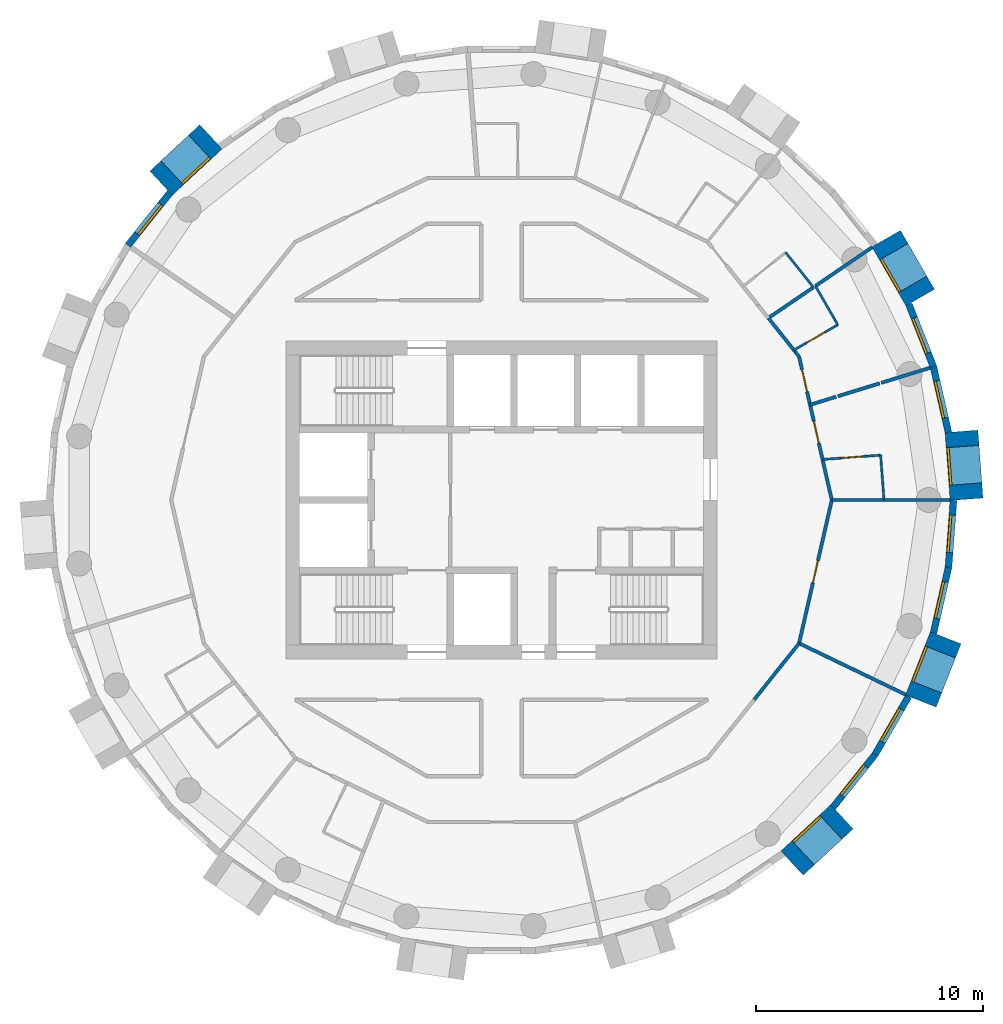
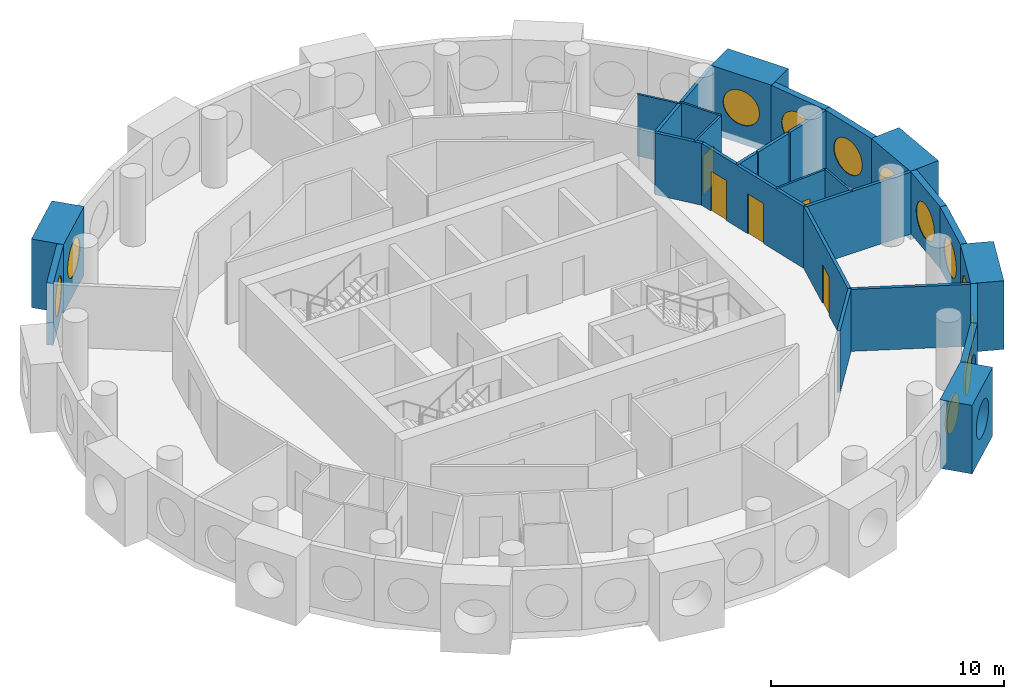
# One storey, part 10 of 13: 28 walls, 12 windows, 5 doors, 17 openings.
"""IFC4 building model written with IfcOpenShell, lengths in metres."""

from ifc_helpers import new_model, si_unit, direction, frame, frame_2d, origin, origin_2d, place, context, subcontext, project, spatial, rectangle, circle, extrude, material, layer, layer_set, type_object, element, fill, save


model = new_model("IFC4")

# Units and contexts
model_context = context("Model", 3, precision=1e-05, world=origin(), true_north=direction((0.0, 1.0)))
body_context = subcontext(model_context, "Body", "Model", "MODEL_VIEW")
ifc_project = project(units=[si_unit("LENGTHUNIT", "METRE"), si_unit("AREAUNIT", "SQUARE_METRE"), si_unit("VOLUMEUNIT", "CUBIC_METRE"), si_unit("PLANEANGLEUNIT", "RADIAN"), si_unit("MASSUNIT", "GRAM", prefix="KILO")], contexts=[model_context])

# Site, building, storey
site_placement = place(None, origin())
site = spatial("IfcSite", under=ifc_project, at=site_placement, CompositionType="ELEMENT")
building_placement = place(site_placement, origin())
building = spatial("IfcBuilding", under=site, at=building_placement, Name="Tracery Tower", CompositionType="ELEMENT")
storey_placement = place(building_placement, frame((0.0, 0.0, 256.199951171875)))
storey = spatial("IfcBuildingStorey", under=building, at=storey_placement, Name="L66", CompositionType="ELEMENT", Elevation=256.199951171875)

# Wall, opening, window
ifc_material_1 = material(Name="Precast concrete C50/60", Category="concrete")
ifc_layer_1 = layer(ifc_material_1, 1.449951171875)
ifc_layer_set_1 = layer_set([ifc_layer_1], Name="Deep-set bay unit 3000 x 3600, slab edge 350")
wall_type_1 = type_object("IfcWallType", Name="Deep-set bay unit 3000 x 3600, slab edge 350", PredefinedType="ELEMENTEDWALL", material=ifc_layer_set_1)
wall_1_placement = place(storey_placement, frame((20.49609375, 0.03173828125, -0.349853515625), z_axis=(0.0, 0.0, 1.0), x_axis=(-0.074785902127, 0.997199613339, 0.0)))
wall_1 = element("IfcWall", 1, at=wall_1_placement, inside=storey, type_object=wall_type_1, Name="Deep-set bay unit 1 at L66", PredefinedType="ELEMENTEDWALL", context=body_context, shape_type="SweptSolid", body=[
    extrude(rectangle(XDim=3.0, YDim=1.449951171875, at=frame_2d((1.5, 0.0))), origin(), (0.0, 0.0, 1.0), 3.599853515625),
])
opening_1_placement = place(wall_1_placement, frame((1.5, 0.0, 1.89990234375)))
opening_1 = element("IfcOpeningElement", 2, at=opening_1_placement, cuts=wall_1, Name="Opening WN1", PredefinedType="OPENING", context=body_context, shape_type="SweptSolid", body=[
    extrude(circle(Radius=0.9000244140625, at=origin_2d()), frame((0.0, 0.73486328125, 0.0), z_axis=(0.0, -1.0, 0.0), x_axis=(1.0, 0.0, 0.0)), (0.0, 0.0, 1.0), 1.469970703125),
])
ifc_material_2 = material(Name="Aluminium frame with tinted double glazing", Category="aluminium")
window_type = type_object("IfcWindowType", Name="Round window 1800", PartitioningType="SINGLE_PANEL", PredefinedType="WINDOW", material=ifc_material_2)
window_1_placement = place(opening_1_placement, origin())
window_1 = element("IfcWindow", 3, at=window_1_placement, inside=storey, type_object=window_type, Name="Round window 1 at L66", OverallHeight=1.800048828125, OverallWidth=1.800048828125, PartitioningType="SINGLE_PANEL", PredefinedType="WINDOW", context=body_context, shape_type="SweptSolid", body=[
    extrude(circle(Radius=0.9000244140625, at=origin_2d()), frame((0.0, 0.69482421875, 0.0), z_axis=(0.0, -1.0, 0.0), x_axis=(1.0, 0.0, 0.0)), (0.0, 0.0, 1.0), 0.10009765625),
])
fill(opening_1, window_1)

wall_2_placement = place(storey_placement, frame((18.452392578125, 8.92138671875, -0.349853515625), z_axis=(0.0, 0.0, 1.0), x_axis=(-0.499990139034, 0.866031096941, 0.0)))
wall_2 = element("IfcWall", 4, at=wall_2_placement, inside=storey, type_object=wall_type_1, Name="Deep-set bay unit 4 at L66", PredefinedType="ELEMENTEDWALL", context=body_context, shape_type="SweptSolid", body=[
    extrude(rectangle(XDim=3.0, YDim=1.449951171875, at=frame_2d((1.5, 0.0))), origin(), (0.0, 0.0, 1.0), 3.599853515625),
])
opening_2_placement = place(wall_2_placement, frame((1.5, 0.0, 1.89990234375)))
opening_2 = element("IfcOpeningElement", 5, at=opening_2_placement, cuts=wall_2, Name="Opening WN1", PredefinedType="OPENING", context=body_context, shape_type="SweptSolid", body=[
    extrude(circle(Radius=0.9000244140625, at=origin_2d()), frame((0.0, 0.73486328125, 0.0), z_axis=(0.0, -1.0, 0.0), x_axis=(1.0, 0.0, 0.0)), (0.0, 0.0, 1.0), 1.469970703125),
])
window_2_placement = place(opening_2_placement, origin())
window_2 = element("IfcWindow", 6, at=window_2_placement, inside=storey, type_object=window_type, Name="Round window 4 at L66", OverallHeight=1.800048828125, OverallWidth=1.800048828125, PartitioningType="SINGLE_PANEL", PredefinedType="WINDOW", context=body_context, shape_type="SweptSolid", body=[
    extrude(circle(Radius=0.9000244140625, at=origin_2d()), frame((0.0, 0.69482421875, 0.0), z_axis=(0.0, -1.0, 0.0), x_axis=(1.0, 0.0, 0.0)), (0.0, 0.0, 1.0), 0.10009765625),
])
fill(opening_2, window_2)

wall_3_placement = place(storey_placement, frame((-12.803955078125, 16.004638671875, -0.349853515625), z_axis=(0.0, 0.0, 1.0), x_axis=(-0.733022439167, -0.680204457261, 0.0)))
wall_3 = element("IfcWall", 7, at=wall_3_placement, inside=storey, type_object=wall_type_1, Name="Deep-set bay unit 16 at L66", PredefinedType="ELEMENTEDWALL", context=body_context, shape_type="SweptSolid", body=[
    extrude(rectangle(XDim=2.999755859375, YDim=1.449951171875, at=frame_2d((1.5, 0.0))), origin(), (0.0, 0.0, 1.0), 3.599853515625),
])
opening_3_placement = place(wall_3_placement, frame((1.5, 0.0, 1.89990234375)))
opening_3 = element("IfcOpeningElement", 8, at=opening_3_placement, cuts=wall_3, Name="Opening WN1", PredefinedType="OPENING", context=body_context, shape_type="SweptSolid", body=[
    extrude(circle(Radius=0.9000244140625, at=origin_2d()), frame((0.0, 0.73486328125, 0.0), z_axis=(0.0, -1.0, 0.0), x_axis=(1.0, 0.0, 0.0)), (0.0, 0.0, 1.0), 1.469970703125),
])
window_3_placement = place(opening_3_placement, origin())
window_3 = element("IfcWindow", 9, at=window_3_placement, inside=storey, type_object=window_type, Name="Round window 16 at L66", OverallHeight=1.800048828125, OverallWidth=1.800048828125, PartitioningType="SINGLE_PANEL", PredefinedType="WINDOW", context=body_context, shape_type="SweptSolid", body=[
    extrude(circle(Radius=0.9000244140625, at=origin_2d()), frame((0.0, 0.69482421875, 0.0), z_axis=(0.0, -1.0, 0.0), x_axis=(1.0, 0.0, 0.0)), (0.0, 0.0, 1.0), 0.10009765625),
])
fill(opening_3, window_3)

wall_4_placement = place(storey_placement, frame((12.803955078125, -16.004638671875, -0.349853515625), z_axis=(0.0, 0.0, 1.0), x_axis=(0.733022439167, 0.680204457261, 0.0)))
wall_4 = element("IfcWall", 10, at=wall_4_placement, inside=storey, type_object=wall_type_1, Name="Deep-set bay unit 37 at L66", PredefinedType="ELEMENTEDWALL", context=body_context, shape_type="SweptSolid", body=[
    extrude(rectangle(XDim=2.999755859375, YDim=1.449951171875, at=frame_2d((1.5, 0.0))), origin(), (0.0, 0.0, 1.0), 3.599853515625),
])
opening_4_placement = place(wall_4_placement, frame((1.5, 0.0, 1.89990234375)))
opening_4 = element("IfcOpeningElement", 11, at=opening_4_placement, cuts=wall_4, Name="Opening WN1", PredefinedType="OPENING", context=body_context, shape_type="SweptSolid", body=[
    extrude(circle(Radius=0.9000244140625, at=origin_2d()), frame((0.0, 0.73486328125, 0.0), z_axis=(0.0, -1.0, 0.0), x_axis=(1.0, 0.0, 0.0)), (0.0, 0.0, 1.0), 1.469970703125),
])
window_4_placement = place(opening_4_placement, origin())
window_4 = element("IfcWindow", 12, at=window_4_placement, inside=storey, type_object=window_type, Name="Round window 37 at L66", OverallHeight=1.800048828125, OverallWidth=1.800048828125, PartitioningType="SINGLE_PANEL", PredefinedType="WINDOW", context=body_context, shape_type="SweptSolid", body=[
    extrude(circle(Radius=0.9000244140625, at=origin_2d()), frame((0.0, 0.69482421875, 0.0), z_axis=(0.0, -1.0, 0.0), x_axis=(1.0, 0.0, 0.0)), (0.0, 0.0, 1.0), 0.10009765625),
])
fill(opening_4, window_4)

wall_5_placement = place(storey_placement, frame((18.47998046875, -8.8642578125, -0.349853515625), z_axis=(0.0, 0.0, 1.0), x_axis=(0.36537792632, 0.93085926485, 0.0)))
wall_5 = element("IfcWall", 13, at=wall_5_placement, inside=storey, type_object=wall_type_1, Name="Deep-set bay unit 40 at L66", PredefinedType="ELEMENTEDWALL", context=body_context, shape_type="SweptSolid", body=[
    extrude(rectangle(XDim=3.000244140625, YDim=1.449951171875, at=frame_2d((1.5, 0.0))), origin(), (0.0, 0.0, 1.0), 3.599853515625),
])
opening_5_placement = place(wall_5_placement, frame((1.5, 0.0, 1.89990234375)))
opening_5 = element("IfcOpeningElement", 14, at=opening_5_placement, cuts=wall_5, Name="Opening WN1", PredefinedType="OPENING", context=body_context, shape_type="SweptSolid", body=[
    extrude(circle(Radius=0.9000244140625, at=origin_2d()), frame((0.0, 0.73486328125, 0.0), z_axis=(0.0, -1.0, 0.0), x_axis=(1.0, 0.0, 0.0)), (0.0, 0.0, 1.0), 1.469970703125),
])
window_5_placement = place(opening_5_placement, origin())
window_5 = element("IfcWindow", 15, at=window_5_placement, inside=storey, type_object=window_type, Name="Round window 40 at L66", OverallHeight=1.800048828125, OverallWidth=1.800048828125, PartitioningType="SINGLE_PANEL", PredefinedType="WINDOW", context=body_context, shape_type="SweptSolid", body=[
    extrude(circle(Radius=0.9000244140625, at=origin_2d()), frame((0.0, 0.69482421875, 0.0), z_axis=(0.0, -1.0, 0.0), x_axis=(1.0, 0.0, 0.0)), (0.0, 0.0, 1.0), 0.10009765625),
])
fill(opening_5, window_5)

ifc_material_3 = material(Name="Precast concrete C50/60", Category="concrete")
ifc_layer_2 = layer(ifc_material_3, 0.300048828125)
ifc_layer_set_2 = layer_set([ifc_layer_2], Name="Facade panel 3000 x 3250")
wall_type_2 = type_object("IfcWallType", Name="Facade panel 3000 x 3250", PredefinedType="SOLIDWALL", material=ifc_layer_set_2)
wall_6_placement = place(storey_placement, frame((19.69580078125, 2.984130859375, 0.0), z_axis=(0.0, 0.0, 1.0), x_axis=(-0.222529389789, 0.974925982155, 0.0)))
wall_6 = element("IfcWall", 16, at=wall_6_placement, inside=storey, type_object=wall_type_2, Name="Facade panel 2 at L66", PredefinedType="SOLIDWALL", context=body_context, shape_type="SweptSolid", body=[
    extrude(rectangle(XDim=2.962158203125, YDim=0.300048828125, at=frame_2d((1.48095703125, 0.0))), origin(), (0.0, 0.0, 1.0), 3.25),
])
opening_6_placement = place(wall_6_placement, frame((1.48095703125, 0.0, 1.5498046875)))
opening_6 = element("IfcOpeningElement", 17, at=opening_6_placement, cuts=wall_6, Name="Opening WN1", PredefinedType="OPENING", context=body_context, shape_type="SweptSolid", body=[
    extrude(circle(Radius=0.9000244140625, at=origin_2d()), frame((0.0, 0.159912109375, 0.0), z_axis=(0.0, -1.0, 0.0), x_axis=(1.0, 0.0, 0.0)), (0.0, 0.0, 1.0), 0.320068359375),
])
window_6_placement = place(opening_6_placement, origin())
window_6 = element("IfcWindow", 18, at=window_6_placement, inside=storey, type_object=window_type, Name="Round window 2 at L66", OverallHeight=1.800048828125, OverallWidth=1.800048828125, PartitioningType="SINGLE_PANEL", PredefinedType="WINDOW", context=body_context, shape_type="SweptSolid", body=[
    extrude(circle(Radius=0.9000244140625, at=origin_2d()), frame((0.0, 0.1201171875, 0.0), z_axis=(0.0, -1.0, 0.0), x_axis=(1.0, 0.0, 0.0)), (0.0, 0.0, 1.0), 0.10009765625),
])
fill(opening_6, window_6)

wall_7_placement = place(storey_placement, frame((19.03662109375, 5.8720703125, 0.0), z_axis=(0.0, 0.0, 1.0), x_axis=(-0.36530043032, 0.930889679612, 0.0)))
wall_7 = element("IfcWall", 19, at=wall_7_placement, inside=storey, type_object=wall_type_2, Name="Facade panel 3 at L66", PredefinedType="SOLIDWALL", context=body_context, shape_type="SweptSolid", body=[
    extrude(rectangle(XDim=2.9619140625, YDim=0.300048828125, at=frame_2d((1.48095703125, 0.0))), origin(), (0.0, 0.0, 1.0), 3.25),
])
opening_7_placement = place(wall_7_placement, frame((1.48095703125, 0.0, 1.5498046875)))
opening_7 = element("IfcOpeningElement", 20, at=opening_7_placement, cuts=wall_7, Name="Opening WN1", PredefinedType="OPENING", context=body_context, shape_type="SweptSolid", body=[
    extrude(circle(Radius=0.9000244140625, at=origin_2d()), frame((0.0, 0.159912109375, 0.0), z_axis=(0.0, -1.0, 0.0), x_axis=(1.0, 0.0, 0.0)), (0.0, 0.0, 1.0), 0.320068359375),
])
window_7_placement = place(opening_7_placement, origin())
window_7 = element("IfcWindow", 21, at=window_7_placement, inside=storey, type_object=window_type, Name="Round window 3 at L66", OverallHeight=1.800048828125, OverallWidth=1.800048828125, PartitioningType="SINGLE_PANEL", PredefinedType="WINDOW", context=body_context, shape_type="SweptSolid", body=[
    extrude(circle(Radius=0.9000244140625, at=origin_2d()), frame((0.0, 0.1201171875, 0.0), z_axis=(0.0, -1.0, 0.0), x_axis=(1.0, 0.0, 0.0)), (0.0, 0.0, 1.0), 0.10009765625),
])
fill(opening_7, window_7)

wall_8_placement = place(storey_placement, frame((-14.61328125, 13.538330078125, 0.0), z_axis=(0.0, 0.0, 1.0), x_axis=(-0.623498236992, -0.781824755599, 0.0)))
wall_8 = element("IfcWall", 22, at=wall_8_placement, inside=storey, type_object=wall_type_2, Name="Facade panel 17 at L66", PredefinedType="SOLIDWALL", context=body_context, shape_type="SweptSolid", body=[
    extrude(rectangle(XDim=2.962158203125, YDim=0.300048828125, at=frame_2d((1.48095703125, 0.0))), origin(), (0.0, 0.0, 1.0), 3.25),
])
opening_8_placement = place(wall_8_placement, frame((1.48095703125, 0.0, 1.5498046875)))
opening_8 = element("IfcOpeningElement", 23, at=opening_8_placement, cuts=wall_8, Name="Opening WN1", PredefinedType="OPENING", context=body_context, shape_type="SweptSolid", body=[
    extrude(circle(Radius=0.9000244140625, at=origin_2d()), frame((0.0, 0.159912109375, 0.0), z_axis=(0.0, -1.0, 0.0), x_axis=(1.0, 0.0, 0.0)), (0.0, 0.0, 1.0), 0.320068359375),
])
window_8_placement = place(opening_8_placement, origin())
window_8 = element("IfcWindow", 24, at=window_8_placement, inside=storey, type_object=window_type, Name="Round window 17 at L66", OverallHeight=1.800048828125, OverallWidth=1.800048828125, PartitioningType="SINGLE_PANEL", PredefinedType="WINDOW", context=body_context, shape_type="SweptSolid", body=[
    extrude(circle(Radius=0.9000244140625, at=origin_2d()), frame((0.0, 0.1201171875, 0.0), z_axis=(0.0, -1.0, 0.0), x_axis=(1.0, 0.0, 0.0)), (0.0, 0.0, 1.0), 0.10009765625),
])
fill(opening_8, window_8)

wall_9_placement = place(storey_placement, frame((14.61328125, -13.538330078125, 0.0), z_axis=(0.0, 0.0, 1.0), x_axis=(0.623498236992, 0.781824755599, 0.0)))
wall_9 = element("IfcWall", 25, at=wall_9_placement, inside=storey, type_object=wall_type_2, Name="Facade panel 38 at L66", PredefinedType="SOLIDWALL", context=body_context, shape_type="SweptSolid", body=[
    extrude(rectangle(XDim=2.962158203125, YDim=0.300048828125, at=frame_2d((1.48095703125, 0.0))), origin(), (0.0, 0.0, 1.0), 3.25),
])
opening_9_placement = place(wall_9_placement, frame((1.48095703125, 0.0, 1.5498046875)))
opening_9 = element("IfcOpeningElement", 26, at=opening_9_placement, cuts=wall_9, Name="Opening WN1", PredefinedType="OPENING", context=body_context, shape_type="SweptSolid", body=[
    extrude(circle(Radius=0.9000244140625, at=origin_2d()), frame((0.0, 0.159912109375, 0.0), z_axis=(0.0, -1.0, 0.0), x_axis=(1.0, 0.0, 0.0)), (0.0, 0.0, 1.0), 0.320068359375),
])
window_9_placement = place(opening_9_placement, origin())
window_9 = element("IfcWindow", 27, at=window_9_placement, inside=storey, type_object=window_type, Name="Round window 38 at L66", OverallHeight=1.800048828125, OverallWidth=1.800048828125, PartitioningType="SINGLE_PANEL", PredefinedType="WINDOW", context=body_context, shape_type="SweptSolid", body=[
    extrude(circle(Radius=0.9000244140625, at=origin_2d()), frame((0.0, 0.1201171875, 0.0), z_axis=(0.0, -1.0, 0.0), x_axis=(1.0, 0.0, 0.0)), (0.0, 0.0, 1.0), 0.10009765625),
])
fill(opening_9, window_9)

wall_10_placement = place(storey_placement, frame((16.460205078125, -11.222412109375, 0.0), z_axis=(0.0, 0.0, 1.0), x_axis=(0.499950756475, 0.86605383268, 0.0)))
wall_10 = element("IfcWall", 28, at=wall_10_placement, inside=storey, type_object=wall_type_2, Name="Facade panel 39 at L66", PredefinedType="SOLIDWALL", context=body_context, shape_type="SweptSolid", body=[
    extrude(rectangle(XDim=2.962158203125, YDim=0.300048828125, at=frame_2d((1.48095703125, 0.0))), origin(), (0.0, 0.0, 1.0), 3.25),
])
opening_10_placement = place(wall_10_placement, frame((1.48095703125, 0.0, 1.5498046875)))
opening_10 = element("IfcOpeningElement", 29, at=opening_10_placement, cuts=wall_10, Name="Opening WN1", PredefinedType="OPENING", context=body_context, shape_type="SweptSolid", body=[
    extrude(circle(Radius=0.9000244140625, at=origin_2d()), frame((0.0, 0.159912109375, 0.0), z_axis=(0.0, -1.0, 0.0), x_axis=(1.0, 0.0, 0.0)), (0.0, 0.0, 1.0), 0.320068359375),
])
window_10_placement = place(opening_10_placement, origin())
window_10 = element("IfcWindow", 30, at=window_10_placement, inside=storey, type_object=window_type, Name="Round window 39 at L66", OverallHeight=1.800048828125, OverallWidth=1.800048828125, PartitioningType="SINGLE_PANEL", PredefinedType="WINDOW", context=body_context, shape_type="SweptSolid", body=[
    extrude(circle(Radius=0.9000244140625, at=origin_2d()), frame((0.0, 0.1201171875, 0.0), z_axis=(0.0, -1.0, 0.0), x_axis=(1.0, 0.0, 0.0)), (0.0, 0.0, 1.0), 0.10009765625),
])
fill(opening_10, window_10)

wall_11_placement = place(storey_placement, frame((19.0400390625, -5.857177734375, 0.0), z_axis=(0.0, 0.0, 1.0), x_axis=(0.222529389789, 0.974925982155, 0.0)))
wall_11 = element("IfcWall", 31, at=wall_11_placement, inside=storey, type_object=wall_type_2, Name="Facade panel 41 at L66", PredefinedType="SOLIDWALL", context=body_context, shape_type="SweptSolid", body=[
    extrude(rectangle(XDim=2.962158203125, YDim=0.300048828125, at=frame_2d((1.48095703125, 0.0))), origin(), (0.0, 0.0, 1.0), 3.25),
])
opening_11_placement = place(wall_11_placement, frame((1.48095703125, 0.0, 1.5498046875)))
opening_11 = element("IfcOpeningElement", 32, at=opening_11_placement, cuts=wall_11, Name="Opening WN1", PredefinedType="OPENING", context=body_context, shape_type="SweptSolid", body=[
    extrude(circle(Radius=0.9000244140625, at=origin_2d()), frame((0.0, 0.159912109375, 0.0), z_axis=(0.0, -1.0, 0.0), x_axis=(1.0, 0.0, 0.0)), (0.0, 0.0, 1.0), 0.320068359375),
])
window_11_placement = place(opening_11_placement, origin())
window_11 = element("IfcWindow", 33, at=window_11_placement, inside=storey, type_object=window_type, Name="Round window 41 at L66", OverallHeight=1.800048828125, OverallWidth=1.800048828125, PartitioningType="SINGLE_PANEL", PredefinedType="WINDOW", context=body_context, shape_type="SweptSolid", body=[
    extrude(circle(Radius=0.9000244140625, at=origin_2d()), frame((0.0, 0.1201171875, 0.0), z_axis=(0.0, -1.0, 0.0), x_axis=(1.0, 0.0, 0.0)), (0.0, 0.0, 1.0), 0.10009765625),
])
fill(opening_11, window_11)

wall_12_placement = place(storey_placement, frame((19.69921875, -2.96923828125, 0.0), z_axis=(0.0, 0.0, 1.0), x_axis=(0.07474897196, 0.997202382263, 0.0)))
wall_12 = element("IfcWall", 34, at=wall_12_placement, inside=storey, type_object=wall_type_2, Name="Facade panel 42 at L66", PredefinedType="SOLIDWALL", context=body_context, shape_type="SweptSolid", body=[
    extrude(rectangle(XDim=2.96240234375, YDim=0.300048828125, at=frame_2d((1.481201171875, 0.0))), origin(), (0.0, 0.0, 1.0), 3.25),
])
opening_12_placement = place(wall_12_placement, frame((1.48095703125, 0.0, 1.5498046875)))
opening_12 = element("IfcOpeningElement", 35, at=opening_12_placement, cuts=wall_12, Name="Opening WN1", PredefinedType="OPENING", context=body_context, shape_type="SweptSolid", body=[
    extrude(circle(Radius=0.9000244140625, at=origin_2d()), frame((0.0, 0.159912109375, 0.0), z_axis=(0.0, -1.0, 0.0), x_axis=(1.0, 0.0, 0.0)), (0.0, 0.0, 1.0), 0.320068359375),
])
window_12_placement = place(opening_12_placement, origin())
window_12 = element("IfcWindow", 36, at=window_12_placement, inside=storey, type_object=window_type, Name="Round window 42 at L66", OverallHeight=1.800048828125, OverallWidth=1.800048828125, PartitioningType="SINGLE_PANEL", PredefinedType="WINDOW", context=body_context, shape_type="SweptSolid", body=[
    extrude(circle(Radius=0.9000244140625, at=origin_2d()), frame((0.0, 0.1201171875, 0.0), z_axis=(0.0, -1.0, 0.0), x_axis=(1.0, 0.0, 0.0)), (0.0, 0.0, 1.0), 0.10009765625),
])
fill(opening_12, window_12)

# Wall
ifc_material_4 = material(Name="Plasterboard on steel studs", Category="steel")
ifc_layer_3 = layer(ifc_material_4, 0.10009765625)
ifc_layer_set_3 = layer_set([ifc_layer_3], Name="Partition 100 wet wall")
wall_type_3 = type_object("IfcWallType", Name="Partition 100 wet wall", PredefinedType="PARTITIONING", material=ifc_layer_set_3)
wall_13_placement = place(storey_placement, frame((16.7080078125, 1.97705078125, 0.0), z_axis=(0.0, 0.0, 1.0), x_axis=(0.074624634103, -0.997211694669, 0.0)))
element("IfcWall", 37, at=wall_13_placement, inside=storey, type_object=wall_type_3, Name="Wet wall RC3-047", PredefinedType="PARTITIONING", context=body_context, shape_type="SweptSolid", body=[
    extrude(rectangle(XDim=1.982666015625, YDim=0.10009765625, at=frame_2d((0.9912109375, 0.0))), origin(), (0.0, 0.0, 1.0), 3.25),
])

# Wall, opening, door
wall_14_placement = place(storey_placement, frame((14.14892578125, 1.784912109375, 0.0), z_axis=(0.0, 0.0, 1.0), x_axis=(0.997193275785, 0.074870359477, 0.0)))
wall_14 = element("IfcWall", 38, at=wall_14_placement, inside=storey, type_object=wall_type_3, Name="Wet wall RC3-048", PredefinedType="PARTITIONING", context=body_context, shape_type="SweptSolid", body=[
    extrude(rectangle(XDim=2.56640625, YDim=0.10009765625, at=frame_2d((1.283203125, 0.0))), origin(), (0.0, 0.0, 1.0), 3.25),
])
opening_13_placement = place(wall_14_placement, frame((0.833251953125, 0.0, 0.0)))
opening_13 = element("IfcOpeningElement", 39, at=opening_13_placement, cuts=wall_14, Name="Opening RC3-05", PredefinedType="OPENING", context=body_context, shape_type="SweptSolid", body=[
    extrude(rectangle(XDim=0.89990234375, YDim=2.0400390625, at=frame_2d((0.449951171875, 1.02001953125))), frame((0.0, 0.050048828125, 0.0), z_axis=(0.0, -1.0, 0.0), x_axis=(1.0, 0.0, 0.0)), (0.0, 0.0, 1.0), 0.10009765625),
])
ifc_material_5 = material(Name="Timber door leaf", Category="wood")
door_type_1 = type_object("IfcDoorType", Name="Door en-suite 900", OperationType="NOTDEFINED", PredefinedType="DOOR", material=ifc_material_5)
door_1_placement = place(opening_13_placement, origin())
door_1 = element("IfcDoor", 40, at=door_1_placement, inside=storey, type_object=door_type_1, Name="En-suite door RC3-05", OperationType="SINGLE_SWING_LEFT", OverallHeight=2.0400390625, OverallWidth=0.89990234375, PredefinedType="DOOR", context=body_context, shape_type="SweptSolid", body=[
    extrude(rectangle(XDim=0.89990234375, YDim=2.0400390625, at=frame_2d((0.449951171875, 1.02001953125))), frame((0.0, 0.02490234375, 0.0), z_axis=(0.0, -1.0, 0.0), x_axis=(1.0, 0.0, 0.0)), (0.0, 0.0, 1.0), 0.050048828125),
])
fill(opening_13, door_1)

wall_15_placement = place(storey_placement, frame((12.885009765625, 6.60498046875, 0.0), z_axis=(0.0, 0.0, 1.0), x_axis=(0.866076416361, 0.499911633214, 0.0)))
wall_15 = element("IfcWall", 41, at=wall_15_placement, inside=storey, type_object=wall_type_3, Name="Wet wall RC3-053", PredefinedType="PARTITIONING", context=body_context, shape_type="SweptSolid", body=[
    extrude(rectangle(XDim=2.234375, YDim=0.10009765625, at=frame_2d((1.1171875, 0.0))), origin(), (0.0, 0.0, 1.0), 3.25),
])
opening_14_placement = place(wall_15_placement, frame((0.6669921875, 0.0, 0.0)))
opening_14 = element("IfcOpeningElement", 42, at=opening_14_placement, cuts=wall_15, Name="Opening RC3-07", PredefinedType="OPENING", context=body_context, shape_type="SweptSolid", body=[
    extrude(rectangle(XDim=0.89990234375, YDim=2.0400390625, at=frame_2d((0.449951171875, 1.02001953125))), frame((0.0, 0.050048828125, 0.0), z_axis=(0.0, -1.0, 0.0), x_axis=(1.0, 0.0, 0.0)), (0.0, 0.0, 1.0), 0.10009765625),
])
door_2_placement = place(opening_14_placement, origin())
door_2 = element("IfcDoor", 43, at=door_2_placement, inside=storey, type_object=door_type_1, Name="En-suite door RC3-07", OperationType="SINGLE_SWING_LEFT", OverallHeight=2.0400390625, OverallWidth=0.89990234375, PredefinedType="DOOR", context=body_context, shape_type="SweptSolid", body=[
    extrude(rectangle(XDim=0.89990234375, YDim=2.0400390625, at=frame_2d((0.449951171875, 1.02001953125))), frame((0.0, 0.02490234375, 0.0), z_axis=(0.0, -1.0, 0.0), x_axis=(1.0, 0.0, 0.0)), (0.0, 0.0, 1.0), 0.050048828125),
])
fill(opening_14, door_2)

# Walls
wall_16_placement = place(storey_placement, frame((13.8330078125, 9.430908203125, 0.0), z_axis=(0.0, 0.0, 1.0), x_axis=(0.500143626598, -0.865942465048, 0.0)))
element("IfcWall", 44, at=wall_16_placement, inside=storey, type_object=wall_type_3, Name="Wet wall RC3-054", PredefinedType="PARTITIONING", context=body_context, shape_type="SweptSolid", body=[
    extrude(rectangle(XDim=1.9736328125, YDim=0.10009765625, at=frame_2d((0.98681640625, 0.0))), origin(), (0.0, 0.0, 1.0), 3.25),
])
wall_17_placement = place(storey_placement, frame((12.52197265625, 10.909912109375, 0.0), z_axis=(0.0, 0.0, 1.0), x_axis=(0.623330716607, -0.781958322249, 0.0)))
element("IfcWall", 45, at=wall_17_placement, inside=storey, type_object=wall_type_3, Name="Wet wall RC3-063", PredefinedType="PARTITIONING", context=body_context, shape_type="SweptSolid", body=[
    extrude(rectangle(XDim=1.96533203125, YDim=0.10009765625, at=frame_2d((0.982666015625, 0.0))), origin(), (0.0, 0.0, 1.0), 3.25),
])
ifc_material_6 = material(Name="Plasterboard on steel studs", Category="steel")
ifc_layer_4 = layer(ifc_material_6, 0.14990234375)
ifc_layer_set_4 = layer_set([ifc_layer_4], Name="Partition 150 acoustic unit wall")
wall_type_4 = type_object("IfcWallType", Name="Partition 150 acoustic unit wall", PredefinedType="PARTITIONING", material=ifc_layer_set_4)
wall_18_placement = place(storey_placement, frame((13.59912109375, 4.195068359375, 0.0), z_axis=(0.0, 0.0, 1.0), x_axis=(0.955506647746, 0.294969568115, 0.0)))
element("IfcWall", 46, at=wall_18_placement, inside=storey, type_object=wall_type_4, Name="Unit wall RC3-049", PredefinedType="PARTITIONING", context=body_context, shape_type="SweptSolid", body=[
    extrude(rectangle(XDim=1.203369140625, YDim=0.14990234375, at=frame_2d((0.6015625, 0.0))), origin(), (0.0, 0.0, 1.0), 3.25),
])
wall_19_placement = place(storey_placement, frame((16.739013671875, 5.1640625, 0.0), z_axis=(0.0, 0.0, 1.0), x_axis=(0.955650111791, 0.294504437715, 0.0)))
element("IfcWall", 47, at=wall_19_placement, inside=storey, type_object=wall_type_4, Name="Unit wall RC3-050", PredefinedType="PARTITIONING", context=body_context, shape_type="SweptSolid", body=[
    extrude(rectangle(XDim=2.25390625, YDim=0.14990234375, at=frame_2d((1.126953125, 0.0))), origin(), (0.0, 0.0, 1.0), 3.25),
])
wall_20_placement = place(storey_placement, frame((14.556884765625, 0.0, 0.0), z_axis=(0.0, 0.0, 1.0), x_axis=(1.0, 0.0, 0.0)))
element("IfcWall", 48, at=wall_20_placement, inside=storey, type_object=wall_type_4, Name="Unit wall RC3-051", PredefinedType="PARTITIONING", context=body_context, shape_type="SweptSolid", body=[
    extrude(rectangle(XDim=5.214111328125, YDim=0.14990234375, at=frame_2d((2.60693359375, 0.0))), origin(), (0.0, 0.0, 1.0), 3.25),
])
wall_21_placement = place(storey_placement, frame((14.822998046875, 4.572998046875, 0.0), z_axis=(0.0, 0.0, 1.0), x_axis=(0.955628343972, 0.294575063773, 0.0)))
element("IfcWall", 49, at=wall_21_placement, inside=storey, type_object=wall_type_4, Name="Unit wall RC3-052", PredefinedType="PARTITIONING", context=body_context, shape_type="SweptSolid", body=[
    extrude(rectangle(XDim=1.9287109375, YDim=0.14990234375, at=frame_2d((0.96435546875, 0.0))), origin(), (0.0, 0.0, 1.0), 3.25),
])
wall_22_placement = place(storey_placement, frame((13.8330078125, 9.430908203125, 0.0), z_axis=(0.0, 0.0, 1.0), x_axis=(0.826152320289, 0.56344684193, 0.0)))
element("IfcWall", 50, at=wall_22_placement, inside=storey, type_object=wall_type_4, Name="Unit wall RC3-055", PredefinedType="PARTITIONING", context=body_context, shape_type="SweptSolid", body=[
    extrude(rectangle(XDim=3.029541015625, YDim=0.14990234375, at=frame_2d((1.5146484375, 0.0))), origin(), (0.0, 0.0, 1.0), 3.25),
])
wall_23_placement = place(storey_placement, frame((11.759033203125, 8.01708984375, 0.0), z_axis=(0.0, 0.0, 1.0), x_axis=(0.826143746222, 0.563459413426, 0.0)))
element("IfcWall", 51, at=wall_23_placement, inside=storey, type_object=wall_type_4, Name="Unit wall RC3-056", PredefinedType="PARTITIONING", context=body_context, shape_type="SweptSolid", body=[
    extrude(rectangle(XDim=2.409912109375, YDim=0.14990234375, at=frame_2d((1.205078125, 0.0))), origin(), (0.0, 0.0, 1.0), 3.25),
])
wall_24_placement = place(storey_placement, frame((13.114990234375, -6.31591796875, 0.0), z_axis=(0.0, 0.0, 1.0), x_axis=(0.901004381064, -0.433809987557, 0.0)))
element("IfcWall", 52, at=wall_24_placement, inside=storey, type_object=wall_type_4, Name="Unit wall RC3-081", PredefinedType="PARTITIONING", context=body_context, shape_type="SweptSolid", body=[
    extrude(rectangle(XDim=5.214111328125, YDim=0.14990234375, at=frame_2d((2.60693359375, 0.0))), origin(), (0.0, 0.0, 1.0), 3.25),
])

# Wall, openings, doors
ifc_material_7 = material(Name="Plasterboard on steel studs", Category="steel")
ifc_layer_5 = layer(ifc_material_7, 0.14990234375)
ifc_layer_set_5 = layer_set([ifc_layer_5], Name="Partition 150 corridor wall")
wall_type_5 = type_object("IfcWallType", Name="Partition 150 corridor wall", PredefinedType="PARTITIONING", material=ifc_layer_set_5)
wall_25_placement = place(storey_placement, frame((13.11474609375, 6.31591796875, 0.0), z_axis=(0.0, 0.0, 1.0), x_axis=(0.222568978642, -0.97491694505, 0.0)))
wall_25 = element("IfcWall", 53, at=wall_25_placement, inside=storey, type_object=wall_type_5, Name="Corridor wall RC3-021", PredefinedType="PARTITIONING", context=body_context, shape_type="SweptSolid", body=[
    extrude(rectangle(XDim=6.478515625, YDim=0.14990234375, at=frame_2d((3.2392578125, 0.0))), origin(), (0.0, 0.0, 1.0), 3.25),
])
opening_15_placement = place(wall_25_placement, frame((2.911376953125, 0.0, 0.0)))
opening_15 = element("IfcOpeningElement", 54, at=opening_15_placement, cuts=wall_25, Name="Opening RC3-06", PredefinedType="OPENING", context=body_context, shape_type="SweptSolid", body=[
    extrude(rectangle(XDim=1.0, YDim=2.10009765625, at=frame_2d((0.5, 1.050048828125))), frame((0.0, 0.074951171875, 0.0), z_axis=(0.0, -1.0, 0.0), x_axis=(1.0, 0.0, 0.0)), (0.0, 0.0, 1.0), 0.14990234375),
])
opening_16_placement = place(wall_25_placement, frame((0.590087890625, 0.0, 0.0)))
opening_16 = element("IfcOpeningElement", 55, at=opening_16_placement, cuts=wall_25, Name="Opening RC3-08", PredefinedType="OPENING", context=body_context, shape_type="SweptSolid", body=[
    extrude(rectangle(XDim=1.0, YDim=2.10009765625, at=frame_2d((0.5, 1.050048828125))), frame((0.0, 0.074951171875, 0.0), z_axis=(0.0, -1.0, 0.0), x_axis=(1.0, 0.0, 0.0)), (0.0, 0.0, 1.0), 0.14990234375),
])
ifc_material_8 = material(Name="Timber door leaf", Category="wood")
door_type_2 = type_object("IfcDoorType", Name="Door unit entrance 1000", OperationType="NOTDEFINED", PredefinedType="DOOR", material=ifc_material_8)
door_3_placement = place(opening_15_placement, origin())
door_3 = element("IfcDoor", 56, at=door_3_placement, inside=storey, type_object=door_type_2, Name="Unit entrance door RC3-06", OperationType="SINGLE_SWING_LEFT", OverallHeight=2.10009765625, OverallWidth=1.0, PredefinedType="DOOR", context=body_context, shape_type="SweptSolid", body=[
    extrude(rectangle(XDim=1.0, YDim=2.10009765625, at=frame_2d((0.5, 1.050048828125))), frame((0.0, 0.02490234375, 0.0), z_axis=(0.0, -1.0, 0.0), x_axis=(1.0, 0.0, 0.0)), (0.0, 0.0, 1.0), 0.050048828125),
])
fill(opening_15, door_3)
door_4_placement = place(opening_16_placement, origin())
door_4 = element("IfcDoor", 57, at=door_4_placement, inside=storey, type_object=door_type_2, Name="Unit entrance door RC3-08", OperationType="SINGLE_SWING_RIGHT", OverallHeight=2.10009765625, OverallWidth=1.0, PredefinedType="DOOR", context=body_context, shape_type="SweptSolid", body=[
    extrude(rectangle(XDim=1.0, YDim=2.10009765625, at=frame_2d((0.5, 1.050048828125))), frame((0.0, 0.02490234375, 0.0), z_axis=(0.0, -1.0, 0.0), x_axis=(1.0, 0.0, 0.0)), (0.0, 0.0, 1.0), 0.050048828125),
])
fill(opening_16, door_4)

# Walls
wall_26_placement = place(storey_placement, frame((11.759521484375, 8.02197265625, 0.0), z_axis=(0.0, 0.0, 1.0), x_axis=(0.62206805366, -0.782963177049, 0.0)))
element("IfcWall", 58, at=wall_26_placement, inside=storey, type_object=wall_type_5, Name="Corridor wall RC3-022", PredefinedType="PARTITIONING", context=body_context, shape_type="SweptSolid", body=[
    extrude(rectangle(XDim=2.178955078125, YDim=0.14990234375, at=frame_2d((1.08935546875, 0.0))), origin(), (0.0, 0.0, 1.0), 3.25),
])
wall_27_placement = place(storey_placement, frame((11.134033203125, -8.800048828125, 0.0), z_axis=(0.0, 0.0, 1.0), x_axis=(0.623476099415, 0.781842409606, 0.0)))
element("IfcWall", 59, at=wall_27_placement, inside=storey, type_object=wall_type_5, Name="Corridor wall RC3-024", PredefinedType="PARTITIONING", context=body_context, shape_type="SweptSolid", body=[
    extrude(rectangle(XDim=3.17724609375, YDim=0.14990234375, at=frame_2d((1.588623046875, 0.0))), origin(), (0.0, 0.0, 1.0), 3.25),
])

# Wall, opening, door
wall_28_placement = place(storey_placement, frame((13.114990234375, -6.31591796875, 0.0), z_axis=(0.0, 0.0, 1.0), x_axis=(0.222568978642, 0.97491694505, 0.0)))
wall_28 = element("IfcWall", 60, at=wall_28_placement, inside=storey, type_object=wall_type_5, Name="Corridor wall RC3-025", PredefinedType="PARTITIONING", context=body_context, shape_type="SweptSolid", body=[
    extrude(rectangle(XDim=6.478515625, YDim=0.14990234375, at=frame_2d((3.2392578125, 0.0))), origin(), (0.0, 0.0, 1.0), 3.25),
])
opening_17_placement = place(wall_28_placement, frame((2.739501953125, 0.0, 0.0)))
opening_17 = element("IfcOpeningElement", 61, at=opening_17_placement, cuts=wall_28, Name="Opening RC3-26", PredefinedType="OPENING", context=body_context, shape_type="SweptSolid", body=[
    extrude(rectangle(XDim=1.0, YDim=2.0400390625, at=frame_2d((0.5, 1.02001953125))), frame((0.0, 0.074951171875, 0.0), z_axis=(0.0, -1.0, 0.0), x_axis=(1.0, 0.0, 0.0)), (0.0, 0.0, 1.0), 0.14990234375),
])
ifc_material_9 = material(Name="Timber door leaf", Category="wood")
door_type_3 = type_object("IfcDoorType", Name="Door communal room 1000", OperationType="NOTDEFINED", PredefinedType="DOOR", material=ifc_material_9)
door_5_placement = place(opening_17_placement, origin())
door_5 = element("IfcDoor", 62, at=door_5_placement, inside=storey, type_object=door_type_3, Name="Communal room door RC3-26", OperationType="SINGLE_SWING_LEFT", OverallHeight=2.0400390625, OverallWidth=1.0, PredefinedType="DOOR", context=body_context, shape_type="SweptSolid", body=[
    extrude(rectangle(XDim=1.0, YDim=2.0400390625, at=frame_2d((0.5, 1.02001953125))), frame((0.0, 0.02490234375, 0.0), z_axis=(0.0, -1.0, 0.0), x_axis=(1.0, 0.0, 0.0)), (0.0, 0.0, 1.0), 0.050048828125),
])
fill(opening_17, door_5)

save(model, "model.ifc")
